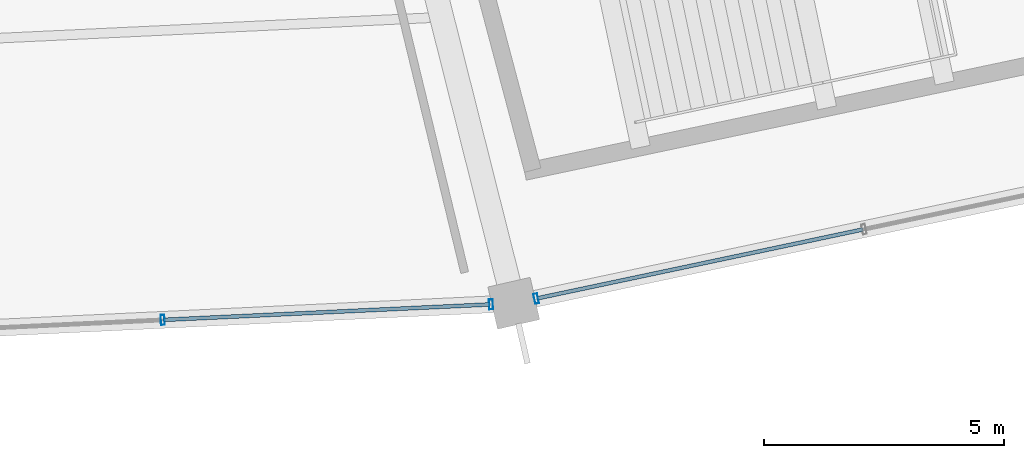
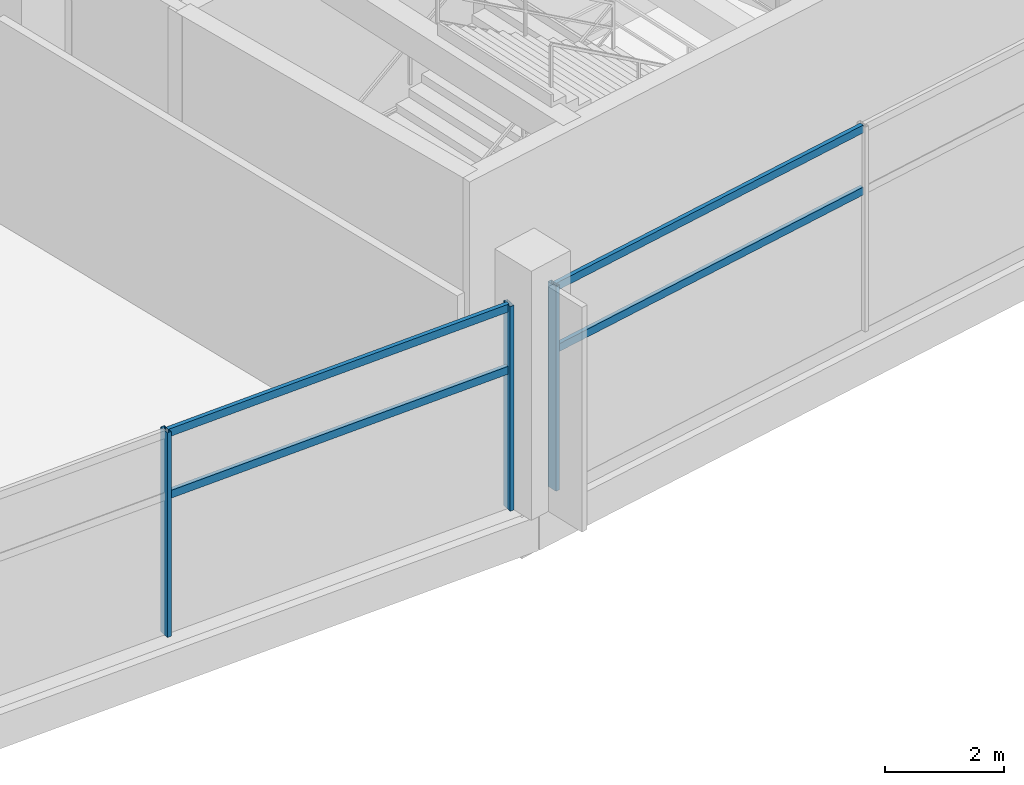
# One storey, part 29 of 184: 7 members, 2 elements without a shape of their own.
"""IFC4 building model written with IfcOpenShell, lengths in metres."""

from ifc_helpers import new_model, si_unit, direction, frame, origin, origin_2d, place, context, subcontext, project, spatial, hollow_rectangle, extrude, material, layer, layer_set, material_profile, profile_set, type_object, element, aggregate, save


model = new_model("IFC4")

# Units and contexts
model_context = context("Model", 3, precision=1e-05, world=origin(), true_north=direction((0.0, 1.0)))
body_context = subcontext(model_context, "Body", "Model", "MODEL_VIEW")
ifc_project = project(units=[si_unit("LENGTHUNIT", "METRE"), si_unit("AREAUNIT", "SQUARE_METRE"), si_unit("VOLUMEUNIT", "CUBIC_METRE"), si_unit("PLANEANGLEUNIT", "RADIAN"), si_unit("MASSUNIT", "GRAM", prefix="KILO")], contexts=[model_context])

# Site, building, storey
site_placement = place(None, origin())
site = spatial("IfcSite", under=ifc_project, at=site_placement, CompositionType="ELEMENT")
building_placement = place(site_placement, origin())
building = spatial("IfcBuilding", under=site, at=building_placement, Name="Kazemori Nagisa Stadium", CompositionType="ELEMENT")
storey_placement = place(building_placement, frame((0.0, 0.0, 10.5400390625)))
storey = spatial("IfcBuildingStorey", under=building, at=storey_placement, Name="L02", CompositionType="ELEMENT", Elevation=10.5400390625)

# Curtain wall, members
ifc_material_1 = material(Name="Anodised aluminium 6063-T5", Category="aluminium")
ifc_layer_1 = layer(ifc_material_1, 0.2099609375, Name="Anodised aluminium 6063-T5", Category="aluminium")
ifc_layer_set_1 = layer_set([ifc_layer_1], Name="Anodised aluminium 6063-T5")
curtain_wall_type_1 = type_object("IfcCurtainWallType", Name="CW_L02R3_103", PredefinedType="USERDEFINED", material=ifc_layer_set_1)
curtain_wall_1_placement = place(storey_placement, origin())
curtain_wall_1 = element("IfcCurtainWall", 1, at=curtain_wall_1_placement, inside=storey, type_object=curtain_wall_type_1, Name="Unitised curtain wall CW-L02R3-103 L02", ObjectType="UNITISED CURTAIN WALL", PredefinedType="USERDEFINED")
ifc_material_2 = material(Name="Aluminium 6063-T5 anodised", Category="aluminium")
ifc_material_profile_1 = material_profile(ifc_material_2, hollow_rectangle(XDim=0.080078125, YDim=0.2099609375, WallThickness=0.0048828125, at=origin_2d()), Name="ALU-MULL-80x210x5")
ifc_profile_set_1 = profile_set([ifc_material_profile_1], Name="Aluminium 6063-T5 anodised")
member_type_1 = type_object("IfcMemberType", Name="Mullion_M02", PredefinedType="MULLION", material=ifc_profile_set_1)
member_1_placement = place(storey_placement, frame((137.126953125, 16.66796875, 0.0), z_axis=(0.0, 0.0, 1.0), x_axis=(0.998884022476, 0.047230388971, 0.0)))
member_1 = element("IfcMember", 2, at=member_1_placement, type_object=member_type_1, Name="Curtain wall mullion CW-L02R3-103-M3", PredefinedType="MULLION", context=body_context, shape_type="SweptSolid", body=[
    extrude(hollow_rectangle(XDim=0.080078125, YDim=0.2099609375, WallThickness=0.0048828125, at=origin_2d()), origin(), (0.0, 0.0, 1.0), 4.18994140625),
])
member_2_placement = place(storey_placement, frame((143.953125, 16.99072265625, 0.0), z_axis=(0.0, 0.0, 1.0), x_axis=(0.998884022476, 0.047230388971, 0.0)))
member_2 = element("IfcMember", 3, at=member_2_placement, type_object=member_type_1, Name="Curtain wall mullion CW-L02R3-103-M4", PredefinedType="MULLION", context=body_context, shape_type="SweptSolid", body=[
    extrude(hollow_rectangle(XDim=0.080078125, YDim=0.2099609375, WallThickness=0.0048828125, at=origin_2d()), origin(), (0.0, 0.0, 1.0), 4.18994140625),
])

# Curtain wall, member
ifc_layer_2 = layer(ifc_material_1, 0.2099609375, Name="Anodised aluminium 6063-T5", Category="aluminium")
ifc_layer_set_2 = layer_set([ifc_layer_2], Name="Anodised aluminium 6063-T5")
curtain_wall_type_2 = type_object("IfcCurtainWallType", Name="CW_L02R3_105", PredefinedType="USERDEFINED", material=ifc_layer_set_2)
curtain_wall_2_placement = place(storey_placement, origin())
curtain_wall_2 = element("IfcCurtainWall", 4, at=curtain_wall_2_placement, inside=storey, type_object=curtain_wall_type_2, Name="Unitised curtain wall CW-L02R3-105 L02", ObjectType="UNITISED CURTAIN WALL", PredefinedType="USERDEFINED")
member_3_placement = place(storey_placement, frame((144.892333984375, 17.111572265625, 0.0), z_axis=(0.0, 0.0, 1.0), x_axis=(0.978344955407, 0.206981033502, 0.0)))
member_3 = element("IfcMember", 5, at=member_3_placement, type_object=member_type_1, Name="Curtain wall mullion CW-L02R3-105-M1", PredefinedType="MULLION", context=body_context, shape_type="SweptSolid", body=[
    extrude(hollow_rectangle(XDim=0.080078125, YDim=0.2099609375, WallThickness=0.0048828125, at=origin_2d()), origin(), (0.0, 0.0, 1.0), 4.18994140625),
])

# Member
ifc_material_profile_2 = material_profile(ifc_material_2, hollow_rectangle(XDim=0.080078125, YDim=0.159912109375, WallThickness=0.00390625, at=origin_2d()), Name="ALU-TRAN-80x160x4")
ifc_profile_set_2 = profile_set([ifc_material_profile_2], Name="Aluminium 6063-T5 anodised")
member_type_2 = type_object("IfcMemberType", Name="Transom_T02", PredefinedType="USERDEFINED", material=ifc_profile_set_2)
member_4_placement = place(storey_placement, frame((137.14697265625, 16.6689453125, 2.84912109375), z_axis=(0.998884581669, 0.047218561007, 0.0), x_axis=(-0.047218561007, 0.998884581669, 0.0)))
member_4 = element("IfcMember", 6, at=member_4_placement, type_object=member_type_2, Name="Curtain wall transom CW-L02R3-103-T3-mid", ObjectType="TRANSOM", PredefinedType="USERDEFINED", context=body_context, shape_type="SweptSolid", body=[
    extrude(hollow_rectangle(XDim=0.080078125, YDim=0.159912109375, WallThickness=0.00390625, at=origin_2d()), origin(), (0.0, 0.0, 1.0), 6.7939453125),
])

member_5_placement = place(storey_placement, frame((137.14697265625, 16.6689453125, 4.119873046875), z_axis=(0.998884581669, 0.047218561007, 0.0), x_axis=(-0.047218561007, 0.998884581669, 0.0)))
member_5 = element("IfcMember", 7, at=member_5_placement, type_object=member_type_2, Name="Curtain wall transom CW-L02R3-103-T3-head", ObjectType="TRANSOM", PredefinedType="USERDEFINED", context=body_context, shape_type="SweptSolid", body=[
    extrude(hollow_rectangle(XDim=0.080078125, YDim=0.159912109375, WallThickness=0.00390625, at=origin_2d()), origin(), (0.0, 0.0, 1.0), 6.7939453125),
])

aggregate(curtain_wall_1, [member_1, member_2, member_4, member_5])

member_6_placement = place(storey_placement, frame((144.911865234375, 17.11572265625, 2.84912109375), z_axis=(0.978348879673, 0.20696248366, 0.0), x_axis=(-0.20696248366, 0.978348879673, 0.0)))
member_6 = element("IfcMember", 8, at=member_6_placement, type_object=member_type_2, Name="Curtain wall transom CW-L02R3-105-T1-mid", ObjectType="TRANSOM", PredefinedType="USERDEFINED", context=body_context, shape_type="SweptSolid", body=[
    extrude(hollow_rectangle(XDim=0.080078125, YDim=0.159912109375, WallThickness=0.00390625, at=origin_2d()), origin(), (0.0, 0.0, 1.0), 6.9267578125),
])

member_7_placement = place(storey_placement, frame((144.911865234375, 17.11572265625, 4.119873046875), z_axis=(0.978348879673, 0.20696248366, 0.0), x_axis=(-0.20696248366, 0.978348879673, 0.0)))
member_7 = element("IfcMember", 9, at=member_7_placement, type_object=member_type_2, Name="Curtain wall transom CW-L02R3-105-T1-head", ObjectType="TRANSOM", PredefinedType="USERDEFINED", context=body_context, shape_type="SweptSolid", body=[
    extrude(hollow_rectangle(XDim=0.080078125, YDim=0.159912109375, WallThickness=0.00390625, at=origin_2d()), origin(), (0.0, 0.0, 1.0), 6.9267578125),
])

aggregate(curtain_wall_2, [member_3, member_6, member_7])

save(model, "model.ifc")
